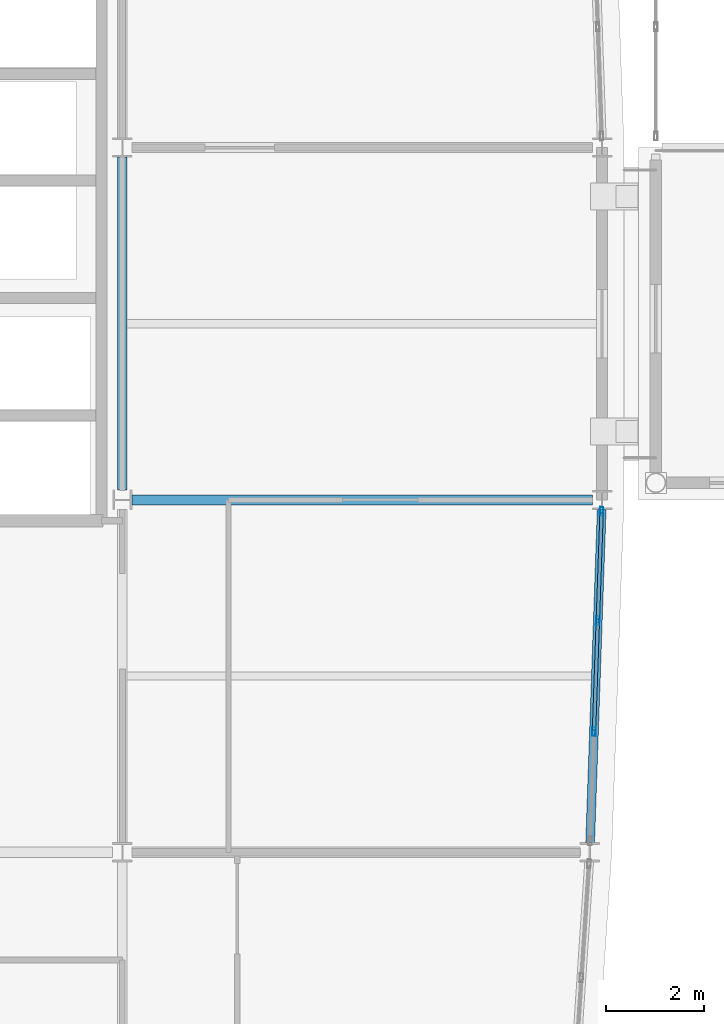
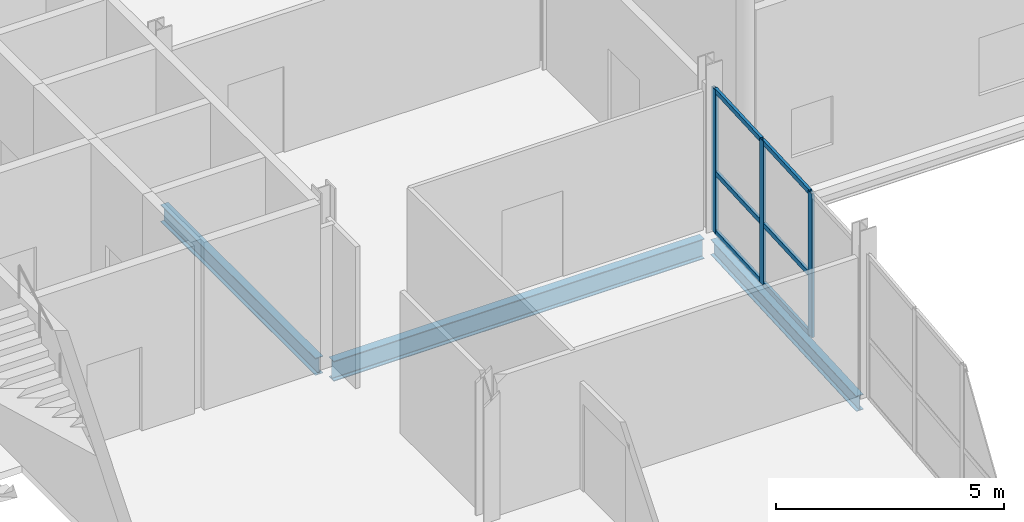
# One storey, part 30 of 77: 9 members, 3 beams, 1 element without a shape of its own.
"""IFC4 building model written with IfcOpenShell, lengths in metres."""

from ifc_helpers import new_model, si_unit, direction, frame, origin, origin_2d, place, context, subcontext, project, spatial, hollow_rectangle, i_section, extrude, material, layer, layer_set, material_profile, profile_set, type_object, element, aggregate, save


model = new_model("IFC4")

# Units and contexts
model_context = context("Model", 3, precision=1e-05, world=origin(), true_north=direction((0.0, 1.0)))
body_context = subcontext(model_context, "Body", "Model", "MODEL_VIEW")
ifc_project = project(units=[si_unit("LENGTHUNIT", "METRE"), si_unit("AREAUNIT", "SQUARE_METRE"), si_unit("VOLUMEUNIT", "CUBIC_METRE"), si_unit("PLANEANGLEUNIT", "RADIAN"), si_unit("MASSUNIT", "GRAM", prefix="KILO")], contexts=[model_context])

# Site, building, storey
site_placement = place(None, origin())
site = spatial("IfcSite", under=ifc_project, at=site_placement, CompositionType="ELEMENT")
building_placement = place(site_placement, origin())
building = spatial("IfcBuilding", under=site, at=building_placement, Name="Quillay Park Conservatory", CompositionType="ELEMENT")
storey_placement = place(building_placement, frame((0.0, 0.0, 5.39990234375)))
storey = spatial("IfcBuildingStorey", under=building, at=storey_placement, Name="L01", CompositionType="ELEMENT", Elevation=5.39990234375)

# Curtain wall, members
ifc_material_1 = material(Name="Thermally Broken Anodised Aluminium 6063-T6", Category="aluminium")
ifc_layer = layer(ifc_material_1, 0.179931640625)
ifc_layer_set = layer_set([ifc_layer], Name="UNITISED CURTAIN WALL TOWER (Thermally Broken Anodised Aluminium 6063-T6)")
curtain_wall_type = type_object("IfcCurtainWallType", Name="UNITISED CURTAIN WALL TOWER", PredefinedType="USERDEFINED", material=ifc_layer_set)
curtain_wall_placement = place(storey_placement, origin())
curtain_wall = element("IfcCurtainWall", 1, at=curtain_wall_placement, inside=storey, type_object=curtain_wall_type, Name="L01 Unitised Curtain Wall 012", ObjectType="UNITISED CURTAIN WALL", PredefinedType="USERDEFINED")
ifc_material_2 = material(Name="Thermally Broken Anodised Aluminium 6063-T6", Category="aluminium")
ifc_material_profile_1 = material_profile(ifc_material_2, hollow_rectangle(XDim=0.070068359375, YDim=0.179931640625, WallThickness=0.00390625, at=origin_2d()), Name="AL70x180x4")
ifc_profile_set_1 = profile_set([ifc_material_profile_1], Name="Thermally Broken Anodised Aluminium 6063-T6")
member_type_1 = type_object("IfcMemberType", Name="CURTAIN WALL MULLION 70 X180", PredefinedType="MULLION", material=ifc_profile_set_1)
member_1_placement = place(storey_placement, frame((29.5419921875, 84.965087890625, 0.0), z_axis=(0.0, 0.0, 1.0), x_axis=(0.999397310446, -0.034713338537, 0.0)))
member_1 = element("IfcMember", 2, at=member_1_placement, type_object=member_type_1, Name="CW-T1 mullion 1", PredefinedType="MULLION", context=body_context, shape_type="SweptSolid", body=[
    extrude(hollow_rectangle(XDim=0.070068359375, YDim=0.179931640625, WallThickness=0.00390625, at=origin_2d()), origin(), (0.0, 0.0, 1.0), 3.859130859375),
])
member_2_placement = place(storey_placement, frame((29.46435546875, 82.7333984375, 0.0), z_axis=(0.0, 0.0, 1.0), x_axis=(0.999397310446, -0.034713338537, 0.0)))
member_2 = element("IfcMember", 3, at=member_2_placement, type_object=member_type_1, Name="CW-T1 mullion 2", PredefinedType="MULLION", context=body_context, shape_type="SweptSolid", body=[
    extrude(hollow_rectangle(XDim=0.070068359375, YDim=0.179931640625, WallThickness=0.00390625, at=origin_2d()), origin(), (0.0, 0.0, 1.0), 3.859130859375),
])
member_3_placement = place(storey_placement, frame((29.3857421875, 80.466552734375, 0.0), z_axis=(0.0, 0.0, 1.0), x_axis=(0.999397310446, -0.034713338537, 0.0)))
member_3 = element("IfcMember", 4, at=member_3_placement, type_object=member_type_1, Name="CW-T1 mullion 3", PredefinedType="MULLION", context=body_context, shape_type="SweptSolid", body=[
    extrude(hollow_rectangle(XDim=0.070068359375, YDim=0.179931640625, WallThickness=0.00390625, at=origin_2d()), origin(), (0.0, 0.0, 1.0), 3.859130859375),
])
ifc_material_3 = material(Name="Thermally Broken Anodised Aluminium 6063-T6", Category="aluminium")
ifc_material_profile_2 = material_profile(ifc_material_3, hollow_rectangle(XDim=0.070068359375, YDim=0.1298828125, WallThickness=0.003173828125, at=origin_2d()), Name="AL70x130x3.2")
ifc_profile_set_2 = profile_set([ifc_material_profile_2], Name="Thermally Broken Anodised Aluminium 6063-T6")
member_type_2 = type_object("IfcMemberType", Name="CURTAIN WALL TRANSOM 70 X130", PredefinedType="USERDEFINED", material=ifc_profile_set_2)
member_4_placement = place(storey_placement, frame((29.540771484375, 84.93017578125, 0.03515625), z_axis=(-0.034761587249, -0.999395633396, 0.0), x_axis=(0.999395633396, -0.034761587249, 0.0)))
member_4 = element("IfcMember", 5, at=member_4_placement, type_object=member_type_2, Name="CW-T1 transom 1.1", ObjectType="TRANSOM", PredefinedType="USERDEFINED", context=body_context, shape_type="SweptSolid", body=[
    extrude(hollow_rectangle(XDim=0.070068359375, YDim=0.1298828125, WallThickness=0.003173828125, at=origin_2d()), origin(), (0.0, 0.0, 1.0), 2.1630859375),
])
member_5_placement = place(storey_placement, frame((29.540771484375, 84.93017578125, 1.620849609375), z_axis=(-0.034761587249, -0.999395633396, 0.0), x_axis=(0.999395633396, -0.034761587249, 0.0)))
member_5 = element("IfcMember", 6, at=member_5_placement, type_object=member_type_2, Name="CW-T1 transom 1.2", ObjectType="TRANSOM", PredefinedType="USERDEFINED", context=body_context, shape_type="SweptSolid", body=[
    extrude(hollow_rectangle(XDim=0.070068359375, YDim=0.1298828125, WallThickness=0.003173828125, at=origin_2d()), origin(), (0.0, 0.0, 1.0), 2.1630859375),
])
member_6_placement = place(storey_placement, frame((29.540771484375, 84.93017578125, 3.82421875), z_axis=(-0.034761587249, -0.999395633396, 0.0), x_axis=(0.999395633396, -0.034761587249, 0.0)))
member_6 = element("IfcMember", 7, at=member_6_placement, type_object=member_type_2, Name="CW-T1 transom 1.3", ObjectType="TRANSOM", PredefinedType="USERDEFINED", context=body_context, shape_type="SweptSolid", body=[
    extrude(hollow_rectangle(XDim=0.070068359375, YDim=0.1298828125, WallThickness=0.003173828125, at=origin_2d()), origin(), (0.0, 0.0, 1.0), 2.1630859375),
])
member_7_placement = place(storey_placement, frame((29.463134765625, 82.698486328125, 0.03515625), z_axis=(-0.034653546152, -0.999399385501, 0.0), x_axis=(0.999399385501, -0.034653546152, 0.0)))
member_7 = element("IfcMember", 8, at=member_7_placement, type_object=member_type_2, Name="CW-T1 transom 2.1", ObjectType="TRANSOM", PredefinedType="USERDEFINED", context=body_context, shape_type="SweptSolid", body=[
    extrude(hollow_rectangle(XDim=0.070068359375, YDim=0.1298828125, WallThickness=0.003173828125, at=origin_2d()), origin(), (0.0, 0.0, 1.0), 2.197998046875),
])
member_8_placement = place(storey_placement, frame((29.463134765625, 82.698486328125, 1.620849609375), z_axis=(-0.034653546152, -0.999399385501, 0.0), x_axis=(0.999399385501, -0.034653546152, 0.0)))
member_8 = element("IfcMember", 9, at=member_8_placement, type_object=member_type_2, Name="CW-T1 transom 2.2", ObjectType="TRANSOM", PredefinedType="USERDEFINED", context=body_context, shape_type="SweptSolid", body=[
    extrude(hollow_rectangle(XDim=0.070068359375, YDim=0.1298828125, WallThickness=0.003173828125, at=origin_2d()), origin(), (0.0, 0.0, 1.0), 2.197998046875),
])
member_9_placement = place(storey_placement, frame((29.463134765625, 82.698486328125, 3.82421875), z_axis=(-0.034653546152, -0.999399385501, 0.0), x_axis=(0.999399385501, -0.034653546152, 0.0)))
member_9 = element("IfcMember", 10, at=member_9_placement, type_object=member_type_2, Name="CW-T1 transom 2.3", ObjectType="TRANSOM", PredefinedType="USERDEFINED", context=body_context, shape_type="SweptSolid", body=[
    extrude(hollow_rectangle(XDim=0.070068359375, YDim=0.1298828125, WallThickness=0.003173828125, at=origin_2d()), origin(), (0.0, 0.0, 1.0), 2.197998046875),
])
aggregate(curtain_wall, [member_1, member_2, member_3, member_4, member_5, member_6, member_7, member_8, member_9])

# Beams
ifc_material_4 = material(Name="Steel ASTM A992 Grade 50", Category="steel")
ifc_material_profile_3 = material_profile(ifc_material_4, i_section(OverallWidth=0.179931640625, OverallDepth=0.4130859375, WebThickness=0.009765625, FlangeThickness=0.01611328125, FilletRadius=0.011962890625, at=origin_2d()), Name="W410x74")
ifc_profile_set_3 = profile_set([ifc_material_profile_3], Name="Steel ASTM A992 Grade 50")
beam_type_1 = type_object("IfcBeamType", Name="PERIMETER SPANDREL BEAM W410 X74", PredefinedType="SPANDREL", material=ifc_profile_set_3)
beam_1_placement = place(storey_placement, frame((29.306884765625, 78.1962890625, -0.406494140625), z_axis=(0.034695592047, 0.9993979267, 0.0), x_axis=(-0.9993979267, 0.034695592047, 0.0)))
element("IfcBeam", 11, at=beam_1_placement, inside=storey, type_object=beam_type_1, Name="L01 beam BM-SPE-0145", PredefinedType="SPANDREL", context=body_context, shape_type="SweptSolid", body=[
    extrude(i_section(OverallWidth=0.179931640625, OverallDepth=0.4130859375, WebThickness=0.009765625, FlangeThickness=0.01611328125, FilletRadius=0.011962890625, at=origin_2d()), origin(), (0.0, 0.0, 1.0), 6.8115234375),
])
ifc_material_5 = material(Name="Steel ASTM A992 Grade 50", Category="steel")
ifc_material_profile_4 = material_profile(ifc_material_5, i_section(OverallWidth=0.19189453125, OverallDepth=0.462890625, WebThickness=0.010498046875, FlangeThickness=0.017578125, FilletRadius=0.012939453125, at=origin_2d()), Name="W460x89")
ifc_profile_set_4 = profile_set([ifc_material_profile_4], Name="Steel ASTM A992 Grade 50")
beam_type_2 = type_object("IfcBeamType", Name="PRIMARY FLOOR GIRDER W460 X89", PredefinedType="BEAM", material=ifc_profile_set_4)
beam_2_placement = place(storey_placement, frame((19.75, 85.3994140625, -0.431396484375), z_axis=(0.0, 1.0, 0.0), x_axis=(-1.0, 0.0, 0.0)))
element("IfcBeam", 12, at=beam_2_placement, inside=storey, type_object=beam_type_2, Name="L01 beam BM-GNS-0153", PredefinedType="BEAM", context=body_context, shape_type="SweptSolid", body=[
    extrude(i_section(OverallWidth=0.19189453125, OverallDepth=0.462890625, WebThickness=0.010498046875, FlangeThickness=0.017578125, FilletRadius=0.012939453125, at=origin_2d()), origin(), (0.0, 0.0, 1.0), 6.80419921875),
])
ifc_material_6 = material(Name="Steel ASTM A992 Grade 50", Category="steel")
ifc_material_profile_5 = material_profile(ifc_material_6, i_section(OverallWidth=0.2109375, OverallDepth=0.5390625, WebThickness=0.01171875, FlangeThickness=0.018798828125, FilletRadius=0.013916015625, at=origin_2d()), Name="W530x109")
ifc_profile_set_5 = profile_set([ifc_material_profile_5], Name="Steel ASTM A992 Grade 50")
beam_type_3 = type_object("IfcBeamType", Name="PRIMARY FLOOR GIRDER W530 X109", PredefinedType="BEAM", material=ifc_profile_set_5)
beam_3_placement = place(storey_placement, frame((19.946533203125, 85.199951171875, -0.469482421875), z_axis=(1.0, 0.0, 0.0), x_axis=(0.0, 1.0, 0.0)))
element("IfcBeam", 13, at=beam_3_placement, inside=storey, type_object=beam_type_3, Name="L01 beam BM-G-0118", PredefinedType="BEAM", context=body_context, shape_type="SweptSolid", body=[
    extrude(i_section(OverallWidth=0.2109375, OverallDepth=0.5390625, WebThickness=0.01171875, FlangeThickness=0.018798828125, FilletRadius=0.013916015625, at=origin_2d()), origin(), (0.0, 0.0, 1.0), 9.404052734375),
])

save(model, "model.ifc")
